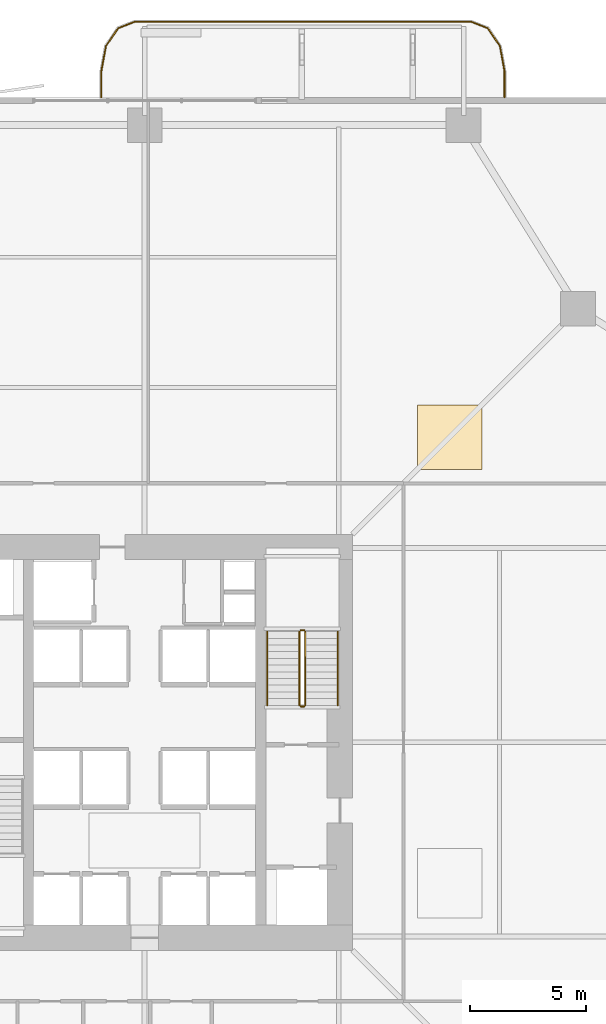
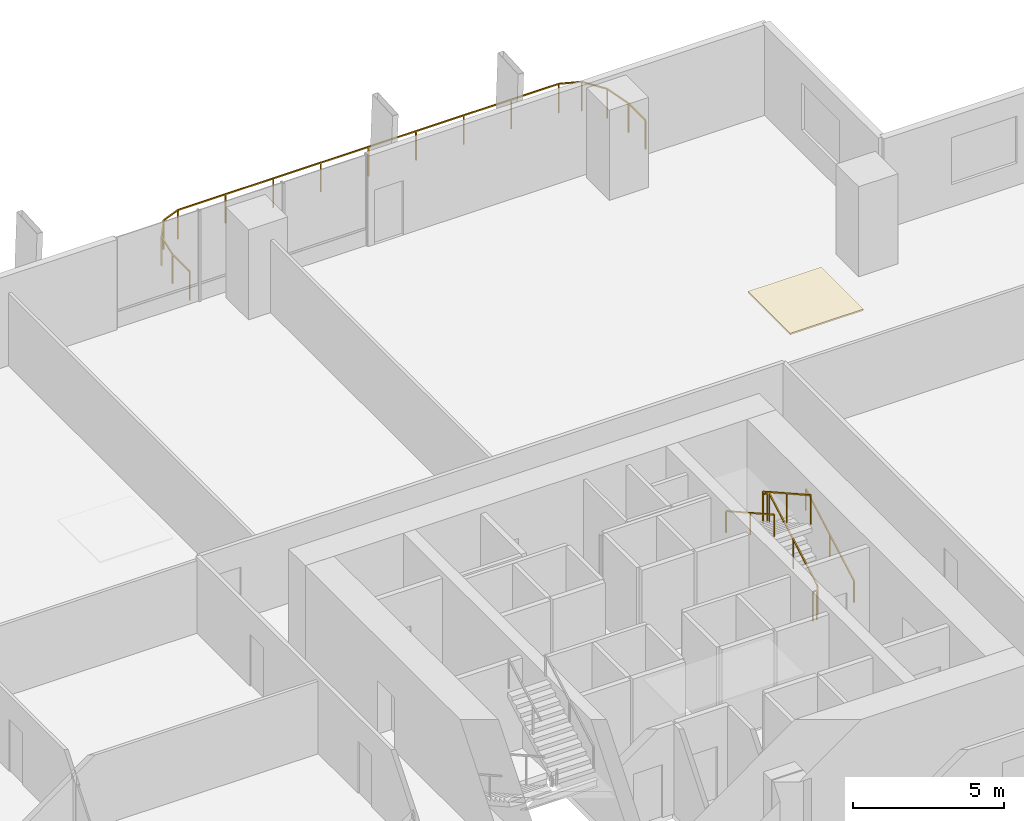
# One storey, part 23 of 23: 7 railings, 1 covering.
"""IFC4 building model written with IfcOpenShell, lengths in metres."""

import ifcopenshell
import ifcopenshell.guid

model = None  # the IFC model being written
_history = None  # IfcOwnerHistory: only IFC2X3 demands one
_inside = {}  # id of a spatial element -> (the spatial element, [elements in it])
_under = {}  # id of a project, library or spatial element -> (it, [spatial elements below it])
_declared = {}  # id of a project -> (the project, [libraries it declares])
_typed = {}  # id of a type object -> (the type object, [elements of that type])
_made_of = {}  # id of a material, layer set ... -> (it, [elements and type objects made of it])


def new_model(schema):
    """Start an empty IFC model of exactly this schema.

    Asked for "IFC4X3", IfcOpenShell would pick the latest addendum, in which some entities
    have other attributes; the version numbers below select the first issue.
    IFC2X3 requires an IfcOwnerHistory on every rooted entity: one is made here for all.
    """
    global model, _history
    if schema == "IFC4X3":
        model = ifcopenshell.file(schema_version=(4, 3, 0, 0))
    else:
        model = ifcopenshell.file(schema=schema)
    _inside.clear()
    _under.clear()
    _declared.clear()
    _typed.clear()
    _made_of.clear()
    _history = None
    if model.schema == "IFC2X3":
        org = make("IfcOrganization", Name="unknown")
        user = make(
            "IfcPersonAndOrganization",
            ThePerson=make("IfcPerson", FamilyName="unknown"),
            TheOrganization=org,
        )
        app = make(
            "IfcApplication",
            ApplicationDeveloper=org,
            Version="unknown",
            ApplicationFullName="unknown",
            ApplicationIdentifier="unknown",
        )
        _history = make(
            "IfcOwnerHistory",
            OwningUser=user,
            OwningApplication=app,
            ChangeAction="ADDED",
            CreationDate=0,
        )
    return model


def make(cls, **values):
    """One entity of the class cls with the attributes given. An attribute that is None is left unset."""
    return model.create_entity(
        cls, **{name: value for name, value in values.items() if value is not None}
    )


def rooted(cls, **values):
    """An entity with a GlobalId (a new one), such as an element, a storey or a relation."""
    return make(cls, GlobalId=ifcopenshell.guid.new(), OwnerHistory=_history, **values)


def si_unit(unit_type, name, prefix=None):
    """IfcSIUnit, for example si_unit("LENGTHUNIT", "METRE", prefix="MILLI")."""
    return make("IfcSIUnit", UnitType=unit_type, Prefix=prefix, Name=name)


def assignment(units):
    """IfcUnitAssignment: the units of a project."""
    return None if units is None else make("IfcUnitAssignment", Units=units)


def point(xyz):
    """IfcCartesianPoint."""
    return None if xyz is None else make("IfcCartesianPoint", Coordinates=xyz)


def direction(xyz):
    """IfcDirection."""
    return None if xyz is None else make("IfcDirection", DirectionRatios=xyz)


def frame(location, z_axis=None, x_axis=None):
    """IfcAxis2Placement3D, a coordinate frame: its origin and axes. An axis left out is left unset."""
    return make(
        "IfcAxis2Placement3D",
        Location=point(location),
        Axis=direction(z_axis),
        RefDirection=direction(x_axis),
    )


def frame_2d(location, x_axis=None):
    """IfcAxis2Placement2D, a coordinate frame in the plane: its origin and x axis."""
    return make(
        "IfcAxis2Placement2D", Location=point(location), RefDirection=direction(x_axis)
    )


def origin():
    """The frame at (0, 0, 0) with its axes left unset."""
    return frame((0.0, 0.0, 0.0))


def origin_2d():
    """The frame at (0, 0) in the plane with its x axis left unset."""
    return frame_2d((0.0, 0.0))


def place(relative_to, where):
    """IfcLocalPlacement: puts the frame where relative to a parent placement (None: the world)."""
    return make(
        "IfcLocalPlacement", PlacementRelTo=relative_to, RelativePlacement=where
    )


def context(
    kind, dimensions, precision=None, world=None, true_north=None, identifier=None
):
    """IfcGeometricRepresentationContext, for example the 3D "Model" context."""
    return make(
        "IfcGeometricRepresentationContext",
        ContextIdentifier=identifier,
        ContextType=kind,
        CoordinateSpaceDimension=dimensions,
        Precision=precision,
        WorldCoordinateSystem=world,
        TrueNorth=true_north,
    )


def subcontext(parent, identifier, kind, view, scale=None):
    """IfcGeometricRepresentationSubContext, for example "Body" below "Model"."""
    return make(
        "IfcGeometricRepresentationSubContext",
        ContextIdentifier=identifier,
        ContextType=kind,
        ParentContext=parent,
        TargetScale=scale,
        TargetView=view,
    )


def project(units=None, contexts=None):
    """IfcProject with its units and contexts."""
    return rooted(
        "IfcProject",
        Name="project",
        RepresentationContexts=contexts,
        UnitsInContext=assignment(units),
    )


def spatial(cls, under=None, at=None, **own):
    """A site, building, storey or space (cls), placed at a placement, below another one or the project."""
    s = rooted(cls, ObjectPlacement=at, **own)
    if under is not None:
        _under.setdefault(under.id(), (under, []))[1].append(s)
    return s


def polyline(points):
    """IfcPolyline through the points."""
    return make("IfcPolyline", Points=[point(p) for p in points])


def profile(cls, at=None, kind="AREA", **sizes):
    """A parametric profile (cls). Its sizes go by their IFC names, for example OverallWidth=200.0."""
    return make(cls, ProfileType=kind, Position=at, **sizes)


def rectangle(**sizes):
    """IfcRectangleProfileDef."""
    return profile("IfcRectangleProfileDef", **sizes)


def outline(outer, holes=None, kind="AREA"):
    """IfcArbitraryClosedProfileDef: a profile drawn as a closed curve; with holes, ...WithVoids."""
    if holes is None:
        return make("IfcArbitraryClosedProfileDef", ProfileType=kind, OuterCurve=outer)
    return make(
        "IfcArbitraryProfileDefWithVoids",
        ProfileType=kind,
        OuterCurve=outer,
        InnerCurves=holes,
    )


def extrude(swept, where, along, depth):
    """IfcExtrudedAreaSolid: the profile swept, set in the frame where, extruded along a direction by depth."""
    return make(
        "IfcExtrudedAreaSolid",
        SweptArea=swept,
        Position=where,
        ExtrudedDirection=direction(along),
        Depth=depth,
    )


def shape(context_of_items, identifier, shape_type, items):
    """IfcShapeRepresentation: the items that make up one representation, for example the "Body"."""
    return make(
        "IfcShapeRepresentation",
        ContextOfItems=context_of_items,
        RepresentationIdentifier=identifier,
        RepresentationType=shape_type,
        Items=items,
    )


def material(Name=None, Category=None):
    """IfcMaterial."""
    return make("IfcMaterial", Name=Name, Category=Category)


def layer(
    of_material, thickness, ventilated=None, Name=None, Category=None, Priority=None
):
    """IfcMaterialLayer: one layer of a wall or slab, of a material (None: an air gap)."""
    return make(
        "IfcMaterialLayer",
        Material=of_material,
        LayerThickness=thickness,
        IsVentilated=ventilated,
        Name=Name,
        Category=Category,
        Priority=Priority,
    )


def layer_set(layers, Name=None):
    """IfcMaterialLayerSet."""
    return make("IfcMaterialLayerSet", MaterialLayers=layers, LayerSetName=Name)


def made_of(thing, what):
    """Note that an element or type object is made of a material, layer set ...; save() writes the relation."""
    if what is not None:
        _made_of.setdefault(what.id(), (what, []))[1].append(thing)
    return thing


def type_object(cls, material=None, **own):
    """A type object (cls), such as IfcWallType, which elements share."""
    return made_of(rooted(cls, **own), material)


def element(
    cls,
    number,
    at=None,
    inside=None,
    cuts=None,
    type_object=None,
    material=None,
    context=None,
    identifier="Body",
    shape_type=None,
    held_by="IfcProductDefinitionShape",
    body=None,
    shapes=None,
    **own,
):
    """One element of the class cls, such as IfcWall. Its Tag is "e" and its number.

    at: its placement. inside: the storey or other place that contains it. cuts: it is an
    opening in that element (IfcRelVoidsElement). A single representation is given by context,
    identifier, shape_type and body (its items); several are given by shapes. held_by: the class
    of the entity that holds the representations. save() writes the other relations.
    """
    e = rooted(cls, Tag="e%d" % number, ObjectPlacement=at, **own)
    if body is not None:
        shapes = [shape(context, identifier, shape_type, body)]
    if shapes is not None:
        e.Representation = make(held_by, Representations=shapes)
    if inside is not None:
        _inside.setdefault(inside.id(), (inside, []))[1].append(e)
    if cuts is not None:
        rooted(
            "IfcRelVoidsElement", RelatingBuildingElement=cuts, RelatedOpeningElement=e
        )
    if type_object is not None:
        _typed.setdefault(type_object.id(), (type_object, []))[1].append(e)
    return made_of(e, material)


def aggregate(whole, parts):
    """IfcRelAggregates: a whole, such as a stair, and the parts it consists of."""
    return rooted("IfcRelAggregates", RelatingObject=whole, RelatedObjects=parts)


def save(model, path):
    """Write the relations noted so far, then the file.

    IfcRelAggregates (storeys below a building ...), IfcRelContainedInSpatialStructure (elements
    in a storey), IfcRelDefinesByType, IfcRelAssociatesMaterial and IfcRelDeclares: one each for
    every whole, place, type object, material and project.
    """
    for whole, parts in _under.values():
        aggregate(whole, parts)
    for where, things in _inside.values():
        rooted(
            "IfcRelContainedInSpatialStructure",
            RelatedElements=things,
            RelatingStructure=where,
        )
    for kind, things in _typed.values():
        rooted("IfcRelDefinesByType", RelatedObjects=things, RelatingType=kind)
    for what, things in _made_of.values():
        rooted("IfcRelAssociatesMaterial", RelatedObjects=things, RelatingMaterial=what)
    for by, libraries in _declared.values():
        rooted("IfcRelDeclares", RelatingContext=by, RelatedDefinitions=libraries)
    model.write(path)


model = new_model("IFC4")

# Units and contexts
model_context = context("Model", 3, precision=1e-05, world=origin(), true_north=direction((0.0, 1.0)))
body_context = subcontext(model_context, "Body", "Model", "MODEL_VIEW")
ifc_project = project(units=[si_unit("LENGTHUNIT", "METRE"), si_unit("AREAUNIT", "SQUARE_METRE"), si_unit("VOLUMEUNIT", "CUBIC_METRE"), si_unit("PLANEANGLEUNIT", "RADIAN"), si_unit("MASSUNIT", "GRAM", prefix="KILO")], contexts=[model_context])

# Site, building, storey
site_placement = place(None, origin())
site = spatial("IfcSite", under=ifc_project, at=site_placement, CompositionType="ELEMENT")
building_placement = place(site_placement, origin())
building = spatial("IfcBuilding", under=site, at=building_placement, Name="Belovzor Exchange Tower", CompositionType="ELEMENT")
storey_placement = place(building_placement, frame((0.0, 0.0, 53.39990234375)))
storey = spatial("IfcBuildingStorey", under=building, at=storey_placement, Name="L12", CompositionType="ELEMENT", Elevation=53.39990234375)

# Railings
ifc_material_1 = material(Name="Stainless Steel Grade 304", Category="steel")
railing_type_1 = type_object("IfcRailingType", Name="Brushed Stainless Steel Stair Handrail 900", PredefinedType="HANDRAIL", material=ifc_material_1)
railing_1_placement = place(storey_placement, frame((37.14990234375, 30.39990234375, 0.16259765625)))
element("IfcRailing", 1, at=railing_1_placement, inside=storey, type_object=railing_type_1, Name="L12 ST-2 stair handrail 1", PredefinedType="HANDRAIL", context=body_context, shape_type="SweptSolid", body=[
    extrude(rectangle(XDim=0.048095703125, YDim=0.048095703125, at=origin_2d()), frame((0.0, 0.0, 0.8759765625), z_axis=(0.0, 0.87237847985, 0.488831042279), x_axis=(-1.0, 0.0, 0.0)), (0.0, 0.0, 1.0), 3.656982421875),
    extrude(rectangle(XDim=0.0419921875, YDim=0.0419921875, at=origin_2d()), origin(), (0.0, 0.0, 1.0), 0.851806640625),
    extrude(rectangle(XDim=0.0419921875, YDim=0.0419921875, at=origin_2d()), frame((0.0, 1.59521484375, 0.893798828125)), (0.0, 0.0, 1.0), 0.851806640625),
    extrude(rectangle(XDim=0.0419921875, YDim=0.0419921875, at=origin_2d()), frame((0.0, 3.190185546875, 1.78759765625)), (0.0, 0.0, 1.0), 0.851806640625),
])
railing_2_placement = place(storey_placement, frame((34.10009765625, 33.590087890625, 2.112548828125)))
element("IfcRailing", 2, at=railing_2_placement, inside=storey, type_object=railing_type_1, Name="L12 ST-2 stair handrail 2", PredefinedType="HANDRAIL", context=body_context, shape_type="SweptSolid", body=[
    extrude(rectangle(XDim=0.048095703125, YDim=0.048095703125, at=origin_2d()), frame((0.0, 0.0, 0.8759765625), z_axis=(0.0, -0.87237847985, 0.488831042279), x_axis=(1.0, 0.0, 0.0)), (0.0, 0.0, 1.0), 3.656982421875),
    extrude(rectangle(XDim=0.0419921875, YDim=0.0419921875, at=origin_2d()), origin(), (0.0, 0.0, 1.0), 0.851806640625),
    extrude(rectangle(XDim=0.0419921875, YDim=0.0419921875, at=origin_2d()), frame((0.0, -1.59521484375, 0.893798828125)), (0.0, 0.0, 1.0), 0.851806640625),
    extrude(rectangle(XDim=0.0419921875, YDim=0.0419921875, at=origin_2d()), frame((0.0, -3.190185546875, 1.78759765625)), (0.0, 0.0, 1.0), 0.851806640625),
])
ifc_material_2 = material(Name="Stainless Steel and Laminated Safety Glass", Category="steel")
railing_type_2 = type_object("IfcRailingType", Name="Laminated Glass & Stainless Steel Balcony Balustrade 1200", PredefinedType="BALUSTRADE", material=ifc_material_2)
railing_3_placement = place(storey_placement, frame((44.3701171875, 56.7099609375, 0.0)))
element("IfcRailing", 3, at=railing_3_placement, inside=storey, type_object=railing_type_2, Name="GR-1 Balcony Balustrade L12 North", PredefinedType="BALUSTRADE", context=body_context, shape_type="SweptSolid", body=[
    extrude(rectangle(XDim=0.048095703125, YDim=0.048095703125, at=origin_2d()), frame((0.0, 0.0, 1.17578125), z_axis=(0.0, 1.0, 0.0), x_axis=(-1.0, 0.0, 0.0)), (0.0, 0.0, 1.0), 1.133056640625),
    extrude(rectangle(XDim=0.048095703125, YDim=0.048095703125, at=origin_2d()), frame((0.0, 1.133056640625, 1.17578125), z_axis=(-0.180122719713, 0.983644145941, 0.0), x_axis=(-0.983644145941, -0.180122719713, 0.0)), (0.0, 0.0, 1.0), 1.09375),
    extrude(rectangle(XDim=0.048095703125, YDim=0.048095703125, at=origin_2d()), frame((-0.197021484375, 2.208984375, 1.17578125), z_axis=(-0.56294695933, 0.826493025367, 0.0), x_axis=(-0.826493025367, -0.56294695933, 0.0)), (0.0, 0.0, 1.0), 0.932861328125),
    extrude(rectangle(XDim=0.048095703125, YDim=0.048095703125, at=origin_2d()), frame((-0.72216796875, 2.97998046875, 1.17578125), z_axis=(-0.930766990125, 0.365612923861, 0.0), x_axis=(-0.365612923861, -0.930766990125, 0.0)), (0.0, 0.0, 1.0), 0.765869140625),
    extrude(rectangle(XDim=0.048095703125, YDim=0.048095703125, at=origin_2d()), frame((-1.43505859375, 3.260009765625, 1.17578125), z_axis=(-1.0, 0.0, 0.0), x_axis=(0.0, -1.0, 0.0)), (0.0, 0.0, 1.0), 14.570068359375),
    extrude(rectangle(XDim=0.048095703125, YDim=0.048095703125, at=origin_2d()), frame((-16.005126953125, 3.260009765625, 1.17578125), z_axis=(-0.930766990125, -0.365612923861, 0.0), x_axis=(0.365612923861, -0.930766990125, 0.0)), (0.0, 0.0, 1.0), 0.765869140625),
    extrude(rectangle(XDim=0.048095703125, YDim=0.048095703125, at=origin_2d()), frame((-16.718017578125, 2.97998046875, 1.17578125), z_axis=(-0.56294695933, -0.826493025367, 0.0), x_axis=(0.826493025367, -0.56294695933, 0.0)), (0.0, 0.0, 1.0), 0.932861328125),
    extrude(rectangle(XDim=0.048095703125, YDim=0.048095703125, at=origin_2d()), frame((-17.2431640625, 2.208984375, 1.17578125), z_axis=(-0.180122719713, -0.983644145941, 0.0), x_axis=(0.983644145941, -0.180122719713, 0.0)), (0.0, 0.0, 1.0), 1.09375),
    extrude(rectangle(XDim=0.048095703125, YDim=0.048095703125, at=origin_2d()), frame((-17.440185546875, 1.133056640625, 1.17578125), z_axis=(0.0, -1.0, 0.0), x_axis=(1.0, 0.0, 0.0)), (0.0, 0.0, 1.0), 1.133056640625),
    extrude(rectangle(XDim=0.0419921875, YDim=0.0419921875, at=origin_2d()), origin(), (0.0, 0.0, 1.0), 1.15185546875),
    extrude(rectangle(XDim=0.0419921875, YDim=0.0419921875, at=origin_2d()), frame((0.0, 1.133056640625, 0.0)), (0.0, 0.0, 1.0), 1.15185546875),
    extrude(rectangle(XDim=0.0419921875, YDim=0.0419921875, at=origin_2d()), frame((-0.197021484375, 2.208984375, 0.0)), (0.0, 0.0, 1.0), 1.15185546875),
    extrude(rectangle(XDim=0.0419921875, YDim=0.0419921875, at=origin_2d()), frame((-0.72216796875, 2.97998046875, 0.0)), (0.0, 0.0, 1.0), 1.15185546875),
    extrude(rectangle(XDim=0.0419921875, YDim=0.0419921875, at=origin_2d()), frame((-1.43505859375, 3.260009765625, 0.0)), (0.0, 0.0, 1.0), 1.15185546875),
    extrude(rectangle(XDim=0.0419921875, YDim=0.0419921875, at=origin_2d()), frame((-3.25634765625, 3.260009765625, 0.0)), (0.0, 0.0, 1.0), 1.15185546875),
    extrude(rectangle(XDim=0.0419921875, YDim=0.0419921875, at=origin_2d()), frame((-5.07763671875, 3.260009765625, 0.0)), (0.0, 0.0, 1.0), 1.15185546875),
    extrude(rectangle(XDim=0.0419921875, YDim=0.0419921875, at=origin_2d()), frame((-6.89892578125, 3.260009765625, 0.0)), (0.0, 0.0, 1.0), 1.15185546875),
    extrude(rectangle(XDim=0.0419921875, YDim=0.0419921875, at=origin_2d()), frame((-8.72021484375, 3.260009765625, 0.0)), (0.0, 0.0, 1.0), 1.15185546875),
    extrude(rectangle(XDim=0.0419921875, YDim=0.0419921875, at=origin_2d()), frame((-10.541259765625, 3.260009765625, 0.0)), (0.0, 0.0, 1.0), 1.15185546875),
    extrude(rectangle(XDim=0.0419921875, YDim=0.0419921875, at=origin_2d()), frame((-12.362548828125, 3.260009765625, 0.0)), (0.0, 0.0, 1.0), 1.15185546875),
    extrude(rectangle(XDim=0.0419921875, YDim=0.0419921875, at=origin_2d()), frame((-14.183837890625, 3.260009765625, 0.0)), (0.0, 0.0, 1.0), 1.15185546875),
    extrude(rectangle(XDim=0.0419921875, YDim=0.0419921875, at=origin_2d()), frame((-16.005126953125, 3.260009765625, 0.0)), (0.0, 0.0, 1.0), 1.15185546875),
    extrude(rectangle(XDim=0.0419921875, YDim=0.0419921875, at=origin_2d()), frame((-16.718017578125, 2.97998046875, 0.0)), (0.0, 0.0, 1.0), 1.15185546875),
    extrude(rectangle(XDim=0.0419921875, YDim=0.0419921875, at=origin_2d()), frame((-17.2431640625, 2.208984375, 0.0)), (0.0, 0.0, 1.0), 1.15185546875),
    extrude(rectangle(XDim=0.0419921875, YDim=0.0419921875, at=origin_2d()), frame((-17.440185546875, 1.133056640625, 0.0)), (0.0, 0.0, 1.0), 1.15185546875),
    extrude(rectangle(XDim=0.0419921875, YDim=0.0419921875, at=origin_2d()), frame((-17.440185546875, 0.0, 0.0)), (0.0, 0.0, 1.0), 1.15185546875),
])
ifc_material_3 = material(Name="Steel S355", Category="steel")
railing_type_3 = type_object("IfcRailingType", Name="Painted Steel Stairwell Guardrail 1200", PredefinedType="GUARDRAIL", material=ifc_material_3)
railing_4_placement = place(storey_placement, frame((35.75, 30.39990234375, 0.16259765625)))
element("IfcRailing", 4, at=railing_4_placement, inside=storey, type_object=railing_type_3, Name="L12 ST-2 stair guard 1", PredefinedType="GUARDRAIL", context=body_context, shape_type="SweptSolid", body=[
    extrude(rectangle(XDim=0.048095703125, YDim=0.048095703125, at=origin_2d()), frame((0.0, 0.0, 1.17578125), z_axis=(0.0, 0.87237847985, 0.488831042279), x_axis=(-1.0, 0.0, 0.0)), (0.0, 0.0, 1.0), 3.656982421875),
    extrude(rectangle(XDim=0.0419921875, YDim=0.0419921875, at=origin_2d()), origin(), (0.0, 0.0, 1.0), 1.15185546875),
    extrude(rectangle(XDim=0.0419921875, YDim=0.0419921875, at=origin_2d()), frame((0.0, 1.59521484375, 0.893798828125)), (0.0, 0.0, 1.0), 1.15185546875),
    extrude(rectangle(XDim=0.0419921875, YDim=0.0419921875, at=origin_2d()), frame((0.0, 3.190185546875, 1.78759765625)), (0.0, 0.0, 1.0), 1.15185546875),
])
railing_5_placement = place(storey_placement, frame((35.699951171875, 33.639892578125, 1.9501953125)))
element("IfcRailing", 5, at=railing_5_placement, inside=storey, type_object=railing_type_3, Name="L12 ST-2 stair guard 2", PredefinedType="GUARDRAIL", context=body_context, shape_type="SweptSolid", body=[
    extrude(rectangle(XDim=0.048095703125, YDim=0.048095703125, at=origin_2d()), frame((0.0, 0.0, 1.17578125), z_axis=(-1.0, 0.0, 0.0), x_axis=(0.0, -1.0, 0.0)), (0.0, 0.0, 1.0), 0.14990234375),
    extrude(rectangle(XDim=0.0419921875, YDim=0.0419921875, at=origin_2d()), origin(), (0.0, 0.0, 1.0), 1.15185546875),
    extrude(rectangle(XDim=0.0419921875, YDim=0.0419921875, at=origin_2d()), frame((-0.14990234375, 0.0, 0.0)), (0.0, 0.0, 1.0), 1.15185546875),
])
railing_6_placement = place(storey_placement, frame((35.5, 33.590087890625, 2.112548828125)))
element("IfcRailing", 6, at=railing_6_placement, inside=storey, type_object=railing_type_3, Name="L12 ST-2 stair guard 3", PredefinedType="GUARDRAIL", context=body_context, shape_type="SweptSolid", body=[
    extrude(rectangle(XDim=0.048095703125, YDim=0.048095703125, at=origin_2d()), frame((0.0, 0.0, 1.17578125), z_axis=(0.0, -0.87237847985, 0.488831042279), x_axis=(1.0, 0.0, 0.0)), (0.0, 0.0, 1.0), 3.656982421875),
    extrude(rectangle(XDim=0.0419921875, YDim=0.0419921875, at=origin_2d()), origin(), (0.0, 0.0, 1.0), 1.15185546875),
    extrude(rectangle(XDim=0.0419921875, YDim=0.0419921875, at=origin_2d()), frame((0.0, -1.59521484375, 0.893798828125)), (0.0, 0.0, 1.0), 1.15185546875),
    extrude(rectangle(XDim=0.0419921875, YDim=0.0419921875, at=origin_2d()), frame((0.0, -3.190185546875, 1.78759765625)), (0.0, 0.0, 1.0), 1.15185546875),
])
railing_7_placement = place(storey_placement, frame((35.699951171875, 30.35009765625, 0.0)))
element("IfcRailing", 7, at=railing_7_placement, inside=storey, type_object=railing_type_3, Name="L12 ST-2 stair guard 4", PredefinedType="GUARDRAIL", context=body_context, shape_type="SweptSolid", body=[
    extrude(rectangle(XDim=0.048095703125, YDim=0.048095703125, at=origin_2d()), frame((0.0, 0.0, 1.17578125), z_axis=(-1.0, 0.0, 0.0), x_axis=(0.0, -1.0, 0.0)), (0.0, 0.0, 1.0), 0.14990234375),
    extrude(rectangle(XDim=0.0419921875, YDim=0.0419921875, at=origin_2d()), origin(), (0.0, 0.0, 1.0), 1.15185546875),
    extrude(rectangle(XDim=0.0419921875, YDim=0.0419921875, at=origin_2d()), frame((-0.14990234375, 0.0, 0.0)), (0.0, 0.0, 1.0), 1.15185546875),
])

# Covering
ifc_material_4 = material(Name="Perforated Powder-Coated Aluminium", Category="aluminium")
ifc_layer = layer(ifc_material_4, 0.06005859375)
ifc_layer_set = layer_set([ifc_layer], Name="Perforated Powder-Coated Aluminium")
covering_type = type_object("IfcCoveringType", Name="Perforated Acoustic Metal Tile Suspended Ceiling 60", PredefinedType="CEILING", material=ifc_layer_set)
covering_placement = place(storey_placement, frame((0.0, 0.0, 3.590087890625)))
element("IfcCovering", 8, at=covering_placement, inside=storey, type_object=covering_type, Name="CLG-AC60 Suspended Ceiling CLG-L12-Z1", PredefinedType="CEILING", context=body_context, shape_type="SweptSolid", body=[
    extrude(outline(polyline([(40.60009765625, 40.60009765625), (43.39990234375, 40.60009765625), (43.39990234375, 43.39990234375), (40.60009765625, 43.39990234375), (40.60009765625, 40.60009765625)])), origin(), (0.0, 0.0, 1.0), 0.06005859375),
])

save(model, "model.ifc")
